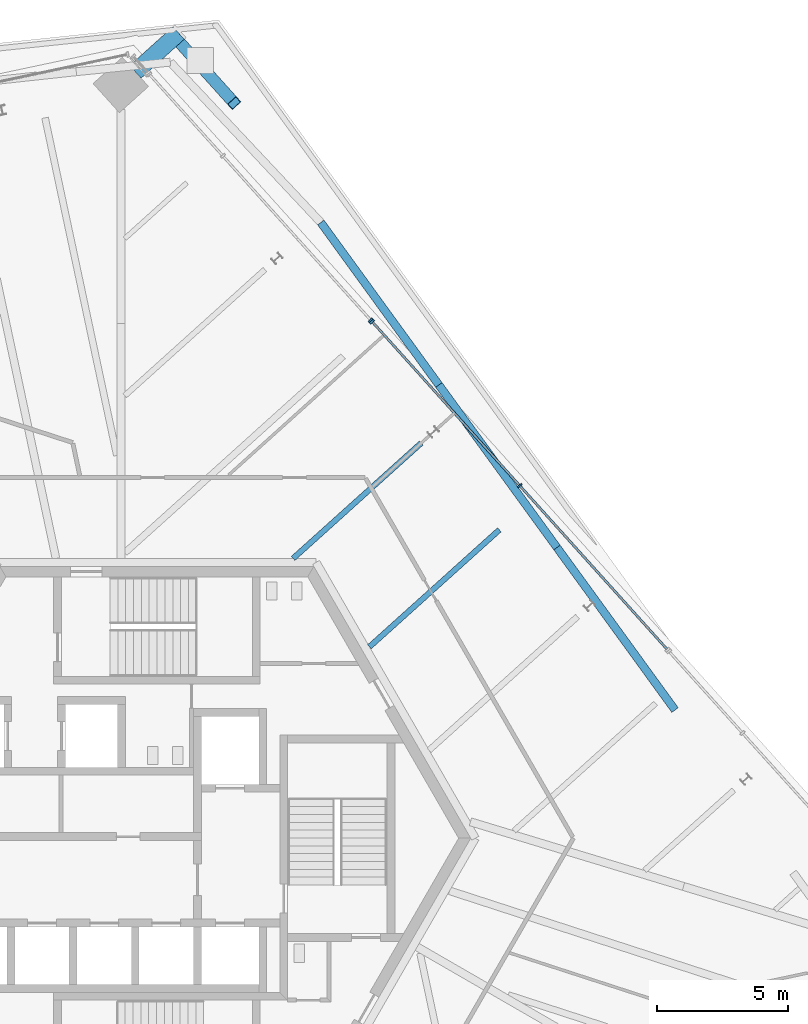
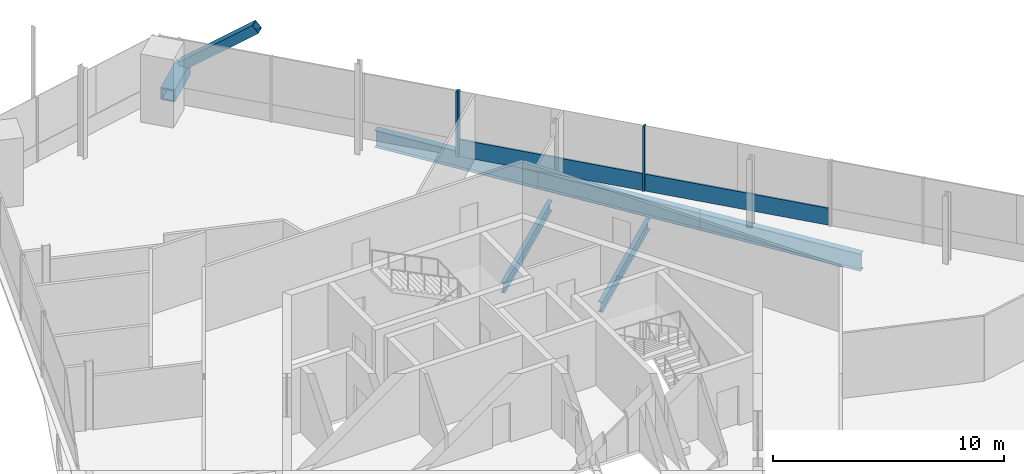
# One storey, part 9 of 20: 7 members, 5 beams, 2 elements without a shape of their own.
"""IFC4 building model written with IfcOpenShell, lengths in metres."""

from ifc_helpers import new_model, si_unit, direction, frame, origin, origin_2d, place, context, subcontext, project, spatial, rectangle, hollow_rectangle, i_section, extrude, source, transform, mapped, material, material_profile, profile_set, type_object, element, aggregate, save


model = new_model("IFC4")

# Units and contexts
model_context = context("Model", 3, precision=1e-05, world=origin(), true_north=direction((0.0, 1.0)))
body_context = subcontext(model_context, "Body", "Model", "MODEL_VIEW")
ifc_project = project(units=[si_unit("LENGTHUNIT", "METRE"), si_unit("AREAUNIT", "SQUARE_METRE"), si_unit("VOLUMEUNIT", "CUBIC_METRE"), si_unit("PLANEANGLEUNIT", "RADIAN"), si_unit("MASSUNIT", "GRAM", prefix="KILO")], contexts=[model_context])

# Site, building, storey
site_placement = place(None, origin())
site = spatial("IfcSite", under=ifc_project, at=site_placement, CompositionType="ELEMENT")
building_placement = place(site_placement, origin())
building = spatial("IfcBuilding", under=site, at=building_placement, Name="Triune Harvest Tower", CompositionType="ELEMENT")
storey_placement = place(building_placement, frame((0.0, 0.0, 259.5)))
storey = spatial("IfcBuildingStorey", under=building, at=storey_placement, Name="L68", CompositionType="ELEMENT", Elevation=259.5)

# Beams
ifc_material_1 = material(Name="Steel ASTM A992 Gr 50", Category="steel")
ifc_material_profile_1 = material_profile(ifc_material_1, i_section(OverallWidth=0.3046875, OverallDepth=0.914306640625, WebThickness=0.0166015625, FlangeThickness=0.02587890625, at=origin_2d()), Name="W36x160")
ifc_profile_set_1 = profile_set([ifc_material_profile_1], Name="Steel ASTM A992 Gr 50")
beam_type_1 = type_object("IfcBeamType", Name="SB-1 Spandrel beam W36x160", PredefinedType="SPANDREL", material=ifc_profile_set_1)
shared_shape_1 = source(origin(), body_context, "Body", "SweptSolid", [
    extrude(i_section(OverallWidth=0.3046875, OverallDepth=0.914306640625, WebThickness=0.0166015625, FlangeThickness=0.02587890625, at=origin_2d()), origin(), (0.0, 0.0, 1.0), 7.679443359375),
])
for number, where, z_axis, x_axis, name in (
    (1, (19.810791015625, 4.90087890625, -0.6171875), (-0.58778412343, 0.809017814541, 0.0), (-0.809017814541, -0.58778412343, 0.0), "beam/L68/WB2"),
    (2, (15.296875, 11.11376953125, -0.6171875), (-0.58778412343, 0.809017814541, 0.0), (-0.809017814541, -0.58778412343, 0.0), "beam/L68/WB3"),
):
    element("IfcBeam", number, at=place(storey_placement, frame(where, z_axis=z_axis, x_axis=x_axis)), inside=storey, type_object=beam_type_1, Name=name, PredefinedType="SPANDREL", context=body_context, shape_type="MappedRepresentation", body=[
        mapped(shared_shape_1, transform((0.0, 0.0, 0.0), scale=1.0)),
    ])
shared_shape_2 = source(origin(), body_context, "Body", "SweptSolid", [
    extrude(i_section(OverallWidth=0.3046875, OverallDepth=0.914306640625, WebThickness=0.0166015625, FlangeThickness=0.02587890625, at=origin_2d()), origin(), (0.0, 0.0, 1.0), 7.67919921875),
])
beam_1_placement = place(storey_placement, frame((10.782958984375, 17.32666015625, -0.6171875), z_axis=(-0.587778433143, 0.809021948733, 0.0), x_axis=(-0.809021948733, -0.587778433143, 0.0)))
element("IfcBeam", 3, at=beam_1_placement, inside=storey, type_object=beam_type_1, Name="beam/L68/WB4", PredefinedType="SPANDREL", context=body_context, shape_type="MappedRepresentation", body=[
    mapped(shared_shape_2, transform((0.0, 0.0, 0.0), scale=1.0)),
])
ifc_material_2 = material(Name="Steel ASTM A992 Gr 50", Category="steel")
ifc_material_profile_2 = material_profile(ifc_material_2, i_section(OverallWidth=0.2099609375, OverallDepth=0.535888671875, WebThickness=0.010986328125, FlangeThickness=0.017333984375, at=origin_2d()), Name="W21x68")
ifc_profile_set_2 = profile_set([ifc_material_profile_2], Name="Steel ASTM A992 Gr 50")
beam_type_2 = type_object("IfcBeamType", Name="JT-2 Floor joist W21x68", PredefinedType="JOIST", material=ifc_profile_set_2)
shared_shape_3 = source(origin(), body_context, "Body", "SweptSolid", [
    extrude(i_section(OverallWidth=0.2099609375, OverallDepth=0.535888671875, WebThickness=0.010986328125, FlangeThickness=0.017333984375, at=origin_2d()), origin(), (0.0, 0.0, 1.0), 6.68310546875),
])
beam_2_placement = place(storey_placement, frame((13.09375, 11.78955078125, -0.427978515625), z_axis=(-0.743143362683, -0.669132230953, 0.0), x_axis=(0.669132230953, -0.743143362683, 0.0)))
element("IfcBeam", 4, at=beam_2_placement, inside=storey, type_object=beam_type_2, Name="beam/L68/JT5", PredefinedType="JOIST", context=body_context, shape_type="MappedRepresentation", body=[
    mapped(shared_shape_3, transform((0.0, 0.0, 0.0), scale=1.0)),
])
shared_shape_4 = source(origin(), body_context, "Body", "SweptSolid", [
    extrude(i_section(OverallWidth=0.2099609375, OverallDepth=0.535888671875, WebThickness=0.010986328125, FlangeThickness=0.017333984375, at=origin_2d()), origin(), (0.0, 0.0, 1.0), 6.590576171875),
])
beam_3_placement = place(storey_placement, frame((10.106689453125, 15.10693359375, -0.427978515625), z_axis=(-0.743144927393, -0.66913049317, 0.0), x_axis=(0.66913049317, -0.743144927393, 0.0)))
element("IfcBeam", 5, at=beam_3_placement, inside=storey, type_object=beam_type_2, Name="beam/L68/JT6", PredefinedType="JOIST", context=body_context, shape_type="MappedRepresentation", body=[
    mapped(shared_shape_4, transform((0.0, 0.0, 0.0), scale=1.0)),
])

# Members
ifc_material_3 = material(Name="Steel ASTM A572 Gr 50", Category="steel")
ifc_material_profile_3 = material_profile(ifc_material_3, hollow_rectangle(XDim=0.64990234375, YDim=0.64990234375, WallThickness=0.070068359375, at=origin_2d()), Name="Box 650x650x70")
ifc_profile_set_3 = profile_set([ifc_material_profile_3], Name="Steel ASTM A572 Gr 50")
member_type_1 = type_object("IfcMemberType", Name="BS-1 Brace stub Box 650x650x70", PredefinedType="STRUT", material=ifc_profile_set_3)
shared_shape_5 = source(origin(), body_context, "Body", "SweptSolid", [
    extrude(hollow_rectangle(XDim=0.64990234375, YDim=0.64990234375, WallThickness=0.070068359375, at=origin_2d()), origin(), (0.0, 0.0, 1.0), 2.222900390625),
])
member_1_placement = place(storey_placement, frame((-0.8193359375, 29.296630859375, 0.60009765625), z_axis=(0.743097515625, 0.669183145537, 0.0), x_axis=(-0.669183145537, 0.743097515625, 0.0)))
element("IfcMember", 6, at=member_1_placement, inside=storey, type_object=member_type_1, Name="brace/B7-F1/stub3", PredefinedType="STRUT", context=body_context, shape_type="MappedRepresentation", body=[
    mapped(shared_shape_5, transform((0.0, 0.0, 0.0), scale=1.0)),
])
ifc_material_4 = material(Name="Steel ASTM A572 Gr 50", Category="steel")
ifc_material_profile_4 = material_profile(ifc_material_4, hollow_rectangle(XDim=0.449951171875, YDim=0.449951171875, WallThickness=0.02490234375, at=origin_2d()), Name="Box 450x450x25")
ifc_profile_set_4 = profile_set([ifc_material_profile_4], Name="Steel ASTM A572 Gr 50")
member_type_2 = type_object("IfcMemberType", Name="BR-4 Brace Box 450x450x25", PredefinedType="BRACE", material=ifc_profile_set_4)
shared_shape_6 = source(origin(), body_context, "Body", "SweptSolid", [
    extrude(hollow_rectangle(XDim=0.449951171875, YDim=0.449951171875, WallThickness=0.02490234375, at=origin_2d()), origin(), (0.0, 0.0, 1.0), 4.358154296875),
])
member_2_placement = place(storey_placement, frame((0.6748046875, 30.64208984375, 0.889892578125), z_axis=(0.524002089325, -0.581981794527, 0.621867350182), x_axis=(0.743155411749, 0.669118848926, 0.0)))
element("IfcMember", 7, at=member_2_placement, inside=storey, type_object=member_type_2, Name="brace/B7-F1/d2/1", PredefinedType="BRACE", context=body_context, shape_type="MappedRepresentation", body=[
    mapped(shared_shape_6, transform((0.0, 0.0, 0.0), scale=1.0)),
])

# Curtain wall, members
ifc_material_5 = material(Name="Aluminium bronze anodised", Category="aluminium")
curtain_wall_type_1 = type_object("IfcCurtainWallType", Name="CW-1 Tower stick curtain wall", PredefinedType="NOTDEFINED", material=ifc_material_5)
curtain_wall_1_placement = place(storey_placement, origin())
curtain_wall_1 = element("IfcCurtainWall", 8, at=curtain_wall_1_placement, inside=storey, type_object=curtain_wall_type_1, Name="CW-1 B7-F1 L68 run 1101")
ifc_material_6 = material(Name="Aluminium bronze anodised", Category="aluminium")
ifc_material_profile_5 = material_profile(ifc_material_6, rectangle(XDim=0.199951171875, YDim=0.074951171875, at=origin_2d()), Name="MU-1 mullion 75 x 200")
ifc_profile_set_5 = profile_set([ifc_material_profile_5], Name="Aluminium bronze anodised")
member_type_3 = type_object("IfcMemberType", Name="MU-1 mullion 75 x 200", PredefinedType="MULLION", material=ifc_profile_set_5)
shared_shape_7 = source(origin(), body_context, "Body", "SweptSolid", [
    extrude(rectangle(XDim=0.199951171875, YDim=0.074951171875, at=origin_2d()), origin(), (0.0, 0.0, 1.0), 3.43994140625),
])
member_3_placement = place(storey_placement, frame((13.875732421875, 13.4775390625, 0.0), z_axis=(0.0, 0.0, 1.0), x_axis=(-0.743144631485, -0.669130821809, 0.0)))
member_3 = element("IfcMember", 9, at=member_3_placement, type_object=member_type_3, Name="CW-1 mullion B7-F1 1101.3", PredefinedType="MULLION", context=body_context, shape_type="MappedRepresentation", body=[
    mapped(shared_shape_7, transform((0.0, 0.0, 0.0), scale=1.0)),
])
member_4_placement = place(storey_placement, frame((8.2255859375, 19.752685546875, 0.0), z_axis=(0.0, 0.0, 1.0), x_axis=(-0.743144631485, -0.669130821809, 0.0)))
member_4 = element("IfcMember", 10, at=member_4_placement, type_object=member_type_3, Name="CW-1 mullion B7-F1 1101.5", PredefinedType="MULLION", context=body_context, shape_type="MappedRepresentation", body=[
    mapped(shared_shape_7, transform((0.0, 0.0, 0.0), scale=1.0)),
])

# Curtain wall, member
ifc_material_7 = material(Name="Aluminium bronze anodised", Category="aluminium")
curtain_wall_type_2 = type_object("IfcCurtainWallType", Name="CW-7 Tower stick curtain wall with insulated spandrel infill", PredefinedType="NOTDEFINED", material=ifc_material_7)
curtain_wall_2_placement = place(storey_placement, origin())
curtain_wall_2 = element("IfcCurtainWall", 11, at=curtain_wall_2_placement, inside=storey, type_object=curtain_wall_type_2, Name="CW-7 B7-F1 L68 run 2101")
member_5_placement = place(storey_placement, frame((8.17529296875, 19.808349609375, 0.0), z_axis=(0.0, 0.0, 1.0), x_axis=(-0.743143654341, -0.669131907035, 0.0)))
member_5 = element("IfcMember", 12, at=member_5_placement, type_object=member_type_3, Name="CW-7 mullion B7-F1 2101.1", PredefinedType="MULLION", context=body_context, shape_type="MappedRepresentation", body=[
    mapped(shared_shape_7, transform((0.0, 0.0, 0.0), scale=1.0)),
])
aggregate(curtain_wall_2, [member_5])

# Member
ifc_material_8 = material(Name="Aluminium bronze anodised", Category="aluminium")
ifc_material_profile_6 = material_profile(ifc_material_8, rectangle(XDim=0.090087890625, YDim=0.89990234375, at=origin_2d()), Name="TR-1 transom 90 x 900")
ifc_profile_set_6 = profile_set([ifc_material_profile_6], Name="Aluminium bronze anodised")
member_type_4 = type_object("IfcMemberType", Name="TR-1 transom 90 x 900", PredefinedType="USERDEFINED", material=ifc_profile_set_6)
shared_shape_8 = source(origin(), body_context, "Body", "SweptSolid", [
    extrude(rectangle(XDim=0.090087890625, YDim=0.89990234375, at=origin_2d()), origin(), (0.0, 0.0, 1.0), 8.368896484375),
])
member_6_placement = place(storey_placement, frame((19.500732421875, 7.230224609375, 0.449951171875), z_axis=(-0.66911783006, 0.743156329109, 0.0), x_axis=(-0.743156329109, -0.66911783006, 0.0)))
member_6 = element("IfcMember", 13, at=member_6_placement, type_object=member_type_4, Name="CW-1 transom B7-F1 1101.1", ObjectType="TRANSOM", PredefinedType="USERDEFINED", context=body_context, shape_type="MappedRepresentation", body=[
    mapped(shared_shape_8, transform((0.0, 0.0, 0.0), scale=1.0)),
])

member_7_placement = place(storey_placement, frame((13.8505859375, 13.50537109375, 0.449951171875), z_axis=(-0.66911783006, 0.743156329109, 0.0), x_axis=(-0.743156329109, -0.66911783006, 0.0)))
member_7 = element("IfcMember", 14, at=member_7_placement, type_object=member_type_4, Name="CW-1 transom B7-F1 1101.2", ObjectType="TRANSOM", PredefinedType="USERDEFINED", context=body_context, shape_type="MappedRepresentation", body=[
    mapped(shared_shape_8, transform((0.0, 0.0, 0.0), scale=1.0)),
])

aggregate(curtain_wall_1, [member_3, member_4, member_6, member_7])

save(model, "model.ifc")
